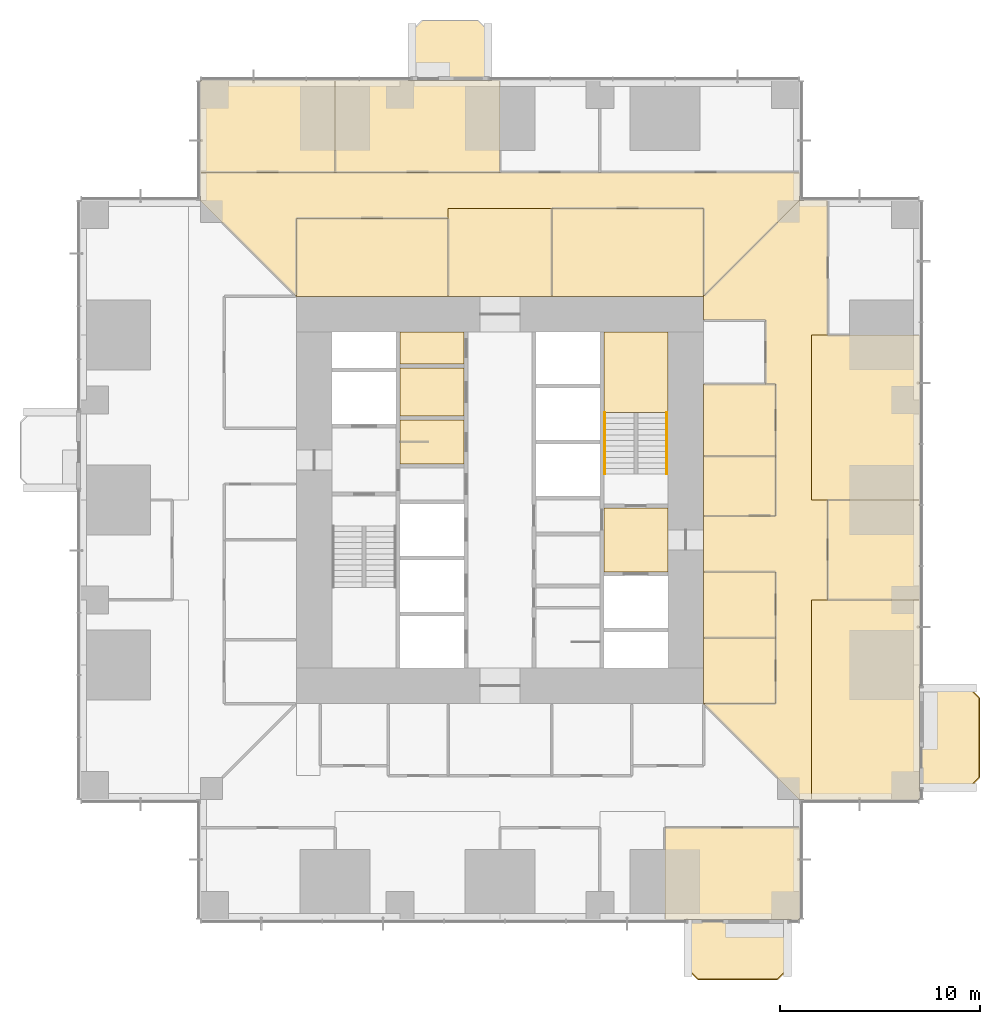
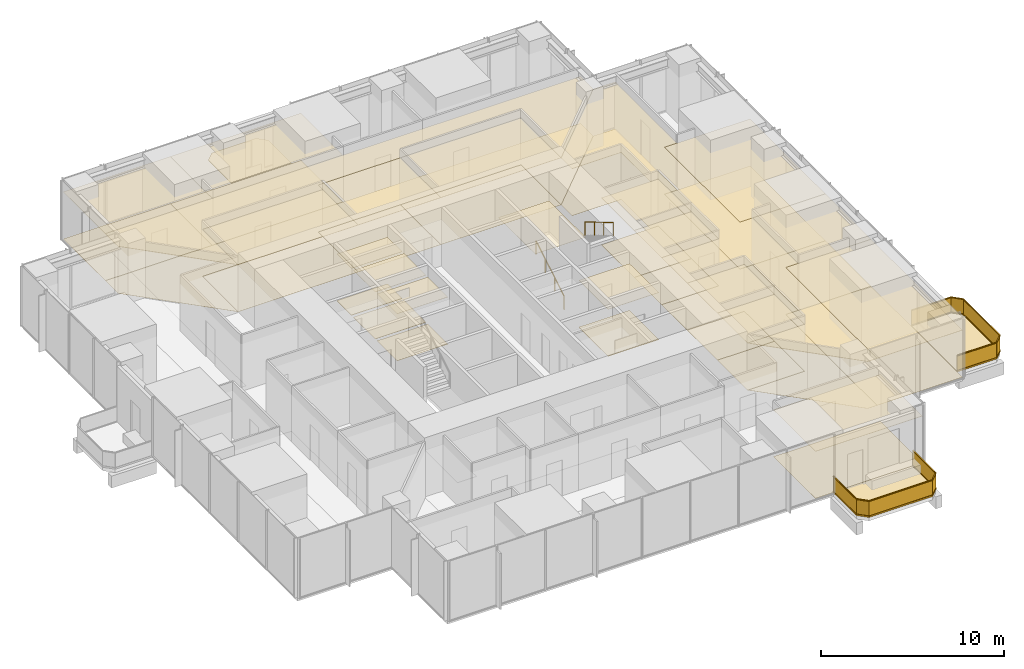
# One storey, part 14 of 16: 42 coverings, 4 railings.
"""IFC4 building model written with IfcOpenShell, lengths in metres."""

from ifc_helpers import new_model, si_unit, direction, frame, origin, origin_2d, place, context, subcontext, project, spatial, polyline, rectangle, circle, outline, extrude, material, layer, layer_set, type_object, element, save


model = new_model("IFC4")

# Units and contexts
model_context = context("Model", 3, precision=1e-05, world=origin(), true_north=direction((0.0, 1.0)))
body_context = subcontext(model_context, "Body", "Model", "MODEL_VIEW")
ifc_project = project(units=[si_unit("LENGTHUNIT", "METRE"), si_unit("AREAUNIT", "SQUARE_METRE"), si_unit("VOLUMEUNIT", "CUBIC_METRE"), si_unit("PLANEANGLEUNIT", "RADIAN"), si_unit("MASSUNIT", "GRAM", prefix="KILO")], contexts=[model_context])

# Site, building, storey
site_placement = place(None, origin())
site = spatial("IfcSite", under=ifc_project, at=site_placement, CompositionType="ELEMENT")
building_placement = place(site_placement, origin())
building = spatial("IfcBuilding", under=site, at=building_placement, Name="Svetlomir Tower", CompositionType="ELEMENT")
storey_placement = place(building_placement, frame((0.0, 0.0, 58.5)))
storey = spatial("IfcBuildingStorey", under=building, at=storey_placement, Name="L13", CompositionType="ELEMENT", Elevation=58.5)

# Railings
ifc_material_1 = material(Name="Bronze anodised aluminium and laminated glass", Category="aluminium")
railing_type_1 = type_object("IfcRailingType", Name="BALCONY GUARD GR1 1100", PredefinedType="GUARDRAIL", material=ifc_material_1)
railing_1_placement = place(storey_placement, frame((30.39990234375, 0.0, 0.0)))
element("IfcRailing", 1, at=railing_1_placement, inside=storey, type_object=railing_type_1, Name="Balcony guard S L13", PredefinedType="GUARDRAIL", context=body_context, shape_type="SweptSolid", body=[
    extrude(rectangle(XDim=0.06005859375, YDim=0.10009765625, at=origin_2d()), frame((0.0, 0.0, 0.050048828125), z_axis=(0.0, -1.0, 0.0), x_axis=(1.0, 0.0, 0.0)), (0.0, 0.0, 1.0), 2.5),
    extrude(rectangle(XDim=0.021484375, YDim=0.960205078125, at=origin_2d()), frame((0.0, 0.0, 0.580078125), z_axis=(0.0, -1.0, 0.0), x_axis=(1.0, 0.0, 0.0)), (0.0, 0.0, 1.0), 2.5),
    extrude(rectangle(XDim=0.06005859375, YDim=0.0400390625, at=origin_2d()), frame((0.0, 0.0, 1.080078125), z_axis=(0.0, -1.0, 0.0), x_axis=(1.0, 0.0, 0.0)), (0.0, 0.0, 1.0), 2.5),
    extrude(rectangle(XDim=0.06005859375, YDim=0.10009765625, at=origin_2d()), frame((0.0, -2.5, 0.050048828125), z_axis=(0.707106781187, -0.707106781187, 0.0), x_axis=(0.707106781187, 0.707106781187, 0.0)), (0.0, 0.0, 1.0), 0.70703125),
    extrude(rectangle(XDim=0.021484375, YDim=0.960205078125, at=origin_2d()), frame((0.0, -2.5, 0.580078125), z_axis=(0.707106781187, -0.707106781187, 0.0), x_axis=(0.707106781187, 0.707106781187, 0.0)), (0.0, 0.0, 1.0), 0.70703125),
    extrude(rectangle(XDim=0.06005859375, YDim=0.0400390625, at=origin_2d()), frame((0.0, -2.5, 1.080078125), z_axis=(0.707106781187, -0.707106781187, 0.0), x_axis=(0.707106781187, 0.707106781187, 0.0)), (0.0, 0.0, 1.0), 0.70703125),
    extrude(rectangle(XDim=0.06005859375, YDim=0.10009765625, at=origin_2d()), frame((0.5, -3.0, 0.050048828125), z_axis=(1.0, 0.0, 0.0), x_axis=(0.0, 1.0, 0.0)), (0.0, 0.0, 1.0), 4.0),
    extrude(rectangle(XDim=0.021484375, YDim=0.960205078125, at=origin_2d()), frame((0.5, -3.0, 0.580078125), z_axis=(1.0, 0.0, 0.0), x_axis=(0.0, 1.0, 0.0)), (0.0, 0.0, 1.0), 4.0),
    extrude(rectangle(XDim=0.06005859375, YDim=0.0400390625, at=origin_2d()), frame((0.5, -3.0, 1.080078125), z_axis=(1.0, 0.0, 0.0), x_axis=(0.0, 1.0, 0.0)), (0.0, 0.0, 1.0), 4.0),
    extrude(rectangle(XDim=0.06005859375, YDim=0.10009765625, at=origin_2d()), frame((4.5, -3.0, 0.050048828125), z_axis=(0.707106781187, 0.707106781187, 0.0), x_axis=(-0.707106781187, 0.707106781187, 0.0)), (0.0, 0.0, 1.0), 0.70703125),
    extrude(rectangle(XDim=0.021484375, YDim=0.960205078125, at=origin_2d()), frame((4.5, -3.0, 0.580078125), z_axis=(0.707106781187, 0.707106781187, 0.0), x_axis=(-0.707106781187, 0.707106781187, 0.0)), (0.0, 0.0, 1.0), 0.70703125),
    extrude(rectangle(XDim=0.06005859375, YDim=0.0400390625, at=origin_2d()), frame((4.5, -3.0, 1.080078125), z_axis=(0.707106781187, 0.707106781187, 0.0), x_axis=(-0.707106781187, 0.707106781187, 0.0)), (0.0, 0.0, 1.0), 0.70703125),
    extrude(rectangle(XDim=0.06005859375, YDim=0.10009765625, at=origin_2d()), frame((5.0, -2.5, 0.050048828125), z_axis=(0.0, 1.0, 0.0), x_axis=(-1.0, 0.0, 0.0)), (0.0, 0.0, 1.0), 2.5),
    extrude(rectangle(XDim=0.021484375, YDim=0.960205078125, at=origin_2d()), frame((5.0, -2.5, 0.580078125), z_axis=(0.0, 1.0, 0.0), x_axis=(-1.0, 0.0, 0.0)), (0.0, 0.0, 1.0), 2.5),
    extrude(rectangle(XDim=0.06005859375, YDim=0.0400390625, at=origin_2d()), frame((5.0, -2.5, 1.080078125), z_axis=(0.0, 1.0, 0.0), x_axis=(-1.0, 0.0, 0.0)), (0.0, 0.0, 1.0), 2.5),
])
railing_2_placement = place(storey_placement, frame((42.0, 6.60009765625, 0.0)))
element("IfcRailing", 2, at=railing_2_placement, inside=storey, type_object=railing_type_1, Name="Balcony guard E L13", PredefinedType="GUARDRAIL", context=body_context, shape_type="SweptSolid", body=[
    extrude(rectangle(XDim=0.06005859375, YDim=0.10009765625, at=origin_2d()), frame((0.0, 0.0, 0.050048828125), z_axis=(1.0, 0.0, 0.0), x_axis=(0.0, 1.0, 0.0)), (0.0, 0.0, 1.0), 2.5),
    extrude(rectangle(XDim=0.021484375, YDim=0.960205078125, at=origin_2d()), frame((0.0, 0.0, 0.580078125), z_axis=(1.0, 0.0, 0.0), x_axis=(0.0, 1.0, 0.0)), (0.0, 0.0, 1.0), 2.5),
    extrude(rectangle(XDim=0.06005859375, YDim=0.0400390625, at=origin_2d()), frame((0.0, 0.0, 1.080078125), z_axis=(1.0, 0.0, 0.0), x_axis=(0.0, 1.0, 0.0)), (0.0, 0.0, 1.0), 2.5),
    extrude(rectangle(XDim=0.06005859375, YDim=0.10009765625, at=origin_2d()), frame((2.5, 0.0, 0.050048828125), z_axis=(0.707106781187, 0.707106781187, 0.0), x_axis=(-0.707106781187, 0.707106781187, 0.0)), (0.0, 0.0, 1.0), 0.70703125),
    extrude(rectangle(XDim=0.021484375, YDim=0.960205078125, at=origin_2d()), frame((2.5, 0.0, 0.580078125), z_axis=(0.707106781187, 0.707106781187, 0.0), x_axis=(-0.707106781187, 0.707106781187, 0.0)), (0.0, 0.0, 1.0), 0.70703125),
    extrude(rectangle(XDim=0.06005859375, YDim=0.0400390625, at=origin_2d()), frame((2.5, 0.0, 1.080078125), z_axis=(0.707106781187, 0.707106781187, 0.0), x_axis=(-0.707106781187, 0.707106781187, 0.0)), (0.0, 0.0, 1.0), 0.70703125),
    extrude(rectangle(XDim=0.06005859375, YDim=0.10009765625, at=origin_2d()), frame((3.0, 0.5, 0.050048828125), z_axis=(0.0, 1.0, 0.0), x_axis=(-1.0, 0.0, 0.0)), (0.0, 0.0, 1.0), 4.0),
    extrude(rectangle(XDim=0.021484375, YDim=0.960205078125, at=origin_2d()), frame((3.0, 0.5, 0.580078125), z_axis=(0.0, 1.0, 0.0), x_axis=(-1.0, 0.0, 0.0)), (0.0, 0.0, 1.0), 4.0),
    extrude(rectangle(XDim=0.06005859375, YDim=0.0400390625, at=origin_2d()), frame((3.0, 0.5, 1.080078125), z_axis=(0.0, 1.0, 0.0), x_axis=(-1.0, 0.0, 0.0)), (0.0, 0.0, 1.0), 4.0),
    extrude(rectangle(XDim=0.06005859375, YDim=0.10009765625, at=origin_2d()), frame((3.0, 4.5, 0.050048828125), z_axis=(-0.707106781187, 0.707106781187, 0.0), x_axis=(-0.707106781187, -0.707106781187, 0.0)), (0.0, 0.0, 1.0), 0.70703125),
    extrude(rectangle(XDim=0.021484375, YDim=0.960205078125, at=origin_2d()), frame((3.0, 4.5, 0.580078125), z_axis=(-0.707106781187, 0.707106781187, 0.0), x_axis=(-0.707106781187, -0.707106781187, 0.0)), (0.0, 0.0, 1.0), 0.70703125),
    extrude(rectangle(XDim=0.06005859375, YDim=0.0400390625, at=origin_2d()), frame((3.0, 4.5, 1.080078125), z_axis=(-0.707106781187, 0.707106781187, 0.0), x_axis=(-0.707106781187, -0.707106781187, 0.0)), (0.0, 0.0, 1.0), 0.70703125),
    extrude(rectangle(XDim=0.06005859375, YDim=0.10009765625, at=origin_2d()), frame((2.5, 5.0, 0.050048828125), z_axis=(-1.0, 0.0, 0.0), x_axis=(0.0, -1.0, 0.0)), (0.0, 0.0, 1.0), 2.5),
    extrude(rectangle(XDim=0.021484375, YDim=0.960205078125, at=origin_2d()), frame((2.5, 5.0, 0.580078125), z_axis=(-1.0, 0.0, 0.0), x_axis=(0.0, -1.0, 0.0)), (0.0, 0.0, 1.0), 2.5),
    extrude(rectangle(XDim=0.06005859375, YDim=0.0400390625, at=origin_2d()), frame((2.5, 5.0, 1.080078125), z_axis=(-1.0, 0.0, 0.0), x_axis=(0.0, -1.0, 0.0)), (0.0, 0.0, 1.0), 2.5),
])

# Coverings
ifc_material_2 = material(Name="Granite paving slabs on pedestals", Category="masonry")
ifc_layer_1 = layer(ifc_material_2, 0.0400390625)
ifc_layer_set_1 = layer_set([ifc_layer_1], Name="Granite paving slabs on pedestals")
covering_type_1 = type_object("IfcCoveringType", Name="BALCONY PAVING 40", PredefinedType="USERDEFINED", material=ifc_layer_set_1)
covering_1_placement = place(storey_placement, origin())
element("IfcCovering", 3, at=covering_1_placement, inside=storey, type_object=covering_type_1, Name="Balcony paving S L13", ObjectType="BALCONY PAVING", PredefinedType="USERDEFINED", context=body_context, shape_type="SweptSolid", body=[
    extrude(outline(polyline([(30.39990234375, -2.5), (30.89990234375, -3.0), (34.89990234375, -3.0), (35.39990234375, -2.5), (35.39990234375, 0.0), (30.39990234375, 0.0), (30.39990234375, -2.5)])), origin(), (0.0, 0.0, 1.0), 0.0400390625),
])
covering_2_placement = place(storey_placement, origin())
element("IfcCovering", 4, at=covering_2_placement, inside=storey, type_object=covering_type_1, Name="Balcony paving E L13", ObjectType="BALCONY PAVING", PredefinedType="USERDEFINED", context=body_context, shape_type="SweptSolid", body=[
    extrude(outline(polyline([(42.0, 6.60009765625), (44.5, 6.60009765625), (45.0, 7.10009765625), (45.0, 11.10009765625), (44.5, 11.60009765625), (42.0, 11.60009765625), (42.0, 6.60009765625)])), origin(), (0.0, 0.0, 1.0), 0.0400390625),
])
covering_3_placement = place(storey_placement, origin())
element("IfcCovering", 5, at=covering_3_placement, inside=storey, type_object=covering_type_1, Name="Balcony paving N L13", ObjectType="BALCONY PAVING", PredefinedType="USERDEFINED", context=body_context, shape_type="SweptSolid", body=[
    extrude(outline(polyline([(16.60009765625, 42.0), (20.39990234375, 42.0), (20.39990234375, 44.5), (19.89990234375, 45.0), (17.10009765625, 45.0), (16.60009765625, 44.5), (16.60009765625, 42.0)])), origin(), (0.0, 0.0, 1.0), 0.0400390625),
])
ifc_material_3 = material(Name="Carpet tile", Category="textile")
ifc_layer_2 = layer(ifc_material_3, 0.010009765625)
ifc_layer_set_2 = layer_set([ifc_layer_2], Name="Carpet tile")
covering_type_2 = type_object("IfcCoveringType", Name="CARPET TILE FLOOR 10", PredefinedType="FLOORING", material=ifc_layer_set_2)
covering_4_placement = place(storey_placement, origin())
element("IfcCovering", 6, at=covering_4_placement, inside=storey, type_object=covering_type_2, Name="Floor finish L13-20", PredefinedType="FLOORING", context=body_context, shape_type="SweptSolid", body=[
    extrude(outline(polyline([(29.25, 0.0), (36.0, 0.0), (36.0, 4.60009765625), (29.25, 4.60009765625), (29.25, 0.0)])), origin(), (0.0, 0.0, 1.0), 0.010009765625),
])
covering_5_placement = place(storey_placement, origin())
element("IfcCovering", 7, at=covering_5_placement, inside=storey, type_object=covering_type_2, Name="Floor finish L13-21", PredefinedType="FLOORING", context=body_context, shape_type="SweptSolid", body=[
    extrude(outline(polyline([(31.199951171875, 10.800048828125), (34.800048828125, 10.800048828125), (34.800048828125, 14.10009765625), (31.199951171875, 14.10009765625), (31.199951171875, 10.800048828125)])), origin(), (0.0, 0.0, 1.0), 0.010009765625),
])
covering_6_placement = place(storey_placement, origin())
element("IfcCovering", 8, at=covering_6_placement, inside=storey, type_object=covering_type_2, Name="Floor finish L13-22", PredefinedType="FLOORING", context=body_context, shape_type="SweptSolid", body=[
    extrude(outline(polyline([(31.199951171875, 14.10009765625), (34.800048828125, 14.10009765625), (34.800048828125, 17.39990234375), (31.199951171875, 17.39990234375), (31.199951171875, 14.10009765625)])), origin(), (0.0, 0.0, 1.0), 0.010009765625),
])
covering_7_placement = place(storey_placement, origin())
element("IfcCovering", 9, at=covering_7_placement, inside=storey, type_object=covering_type_2, Name="Floor finish L13-23", PredefinedType="FLOORING", context=body_context, shape_type="SweptSolid", body=[
    extrude(outline(polyline([(31.199951171875, 23.199951171875), (34.800048828125, 23.199951171875), (34.800048828125, 26.800048828125), (31.199951171875, 26.800048828125), (31.199951171875, 23.199951171875)])), origin(), (0.0, 0.0, 1.0), 0.010009765625),
])
covering_8_placement = place(storey_placement, origin())
element("IfcCovering", 10, at=covering_8_placement, inside=storey, type_object=covering_type_2, Name="Floor finish L13-25", PredefinedType="FLOORING", context=body_context, shape_type="SweptSolid", body=[
    extrude(outline(polyline([(37.39990234375, 16.0), (42.0, 16.0), (42.0, 21.0), (37.39990234375, 21.0), (37.39990234375, 16.0)])), origin(), (0.0, 0.0, 1.0), 0.010009765625),
])
covering_9_placement = place(storey_placement, origin())
element("IfcCovering", 11, at=covering_9_placement, inside=storey, type_object=covering_type_2, Name="Floor finish L13-27", PredefinedType="FLOORING", context=body_context, shape_type="SweptSolid", body=[
    extrude(outline(polyline([(10.800048828125, 31.199951171875), (18.39990234375, 31.199951171875), (18.39990234375, 35.10009765625), (10.800048828125, 35.10009765625), (10.800048828125, 31.199951171875)])), origin(), (0.0, 0.0, 1.0), 0.010009765625),
])
covering_10_placement = place(storey_placement, origin())
element("IfcCovering", 12, at=covering_10_placement, inside=storey, type_object=covering_type_2, Name="Floor finish L13-28", PredefinedType="FLOORING", context=body_context, shape_type="SweptSolid", body=[
    extrude(outline(polyline([(23.60009765625, 31.199951171875), (31.199951171875, 31.199951171875), (31.199951171875, 35.60009765625), (23.60009765625, 35.60009765625), (23.60009765625, 31.199951171875)])), origin(), (0.0, 0.0, 1.0), 0.010009765625),
])
covering_11_placement = place(storey_placement, origin())
element("IfcCovering", 13, at=covering_11_placement, inside=storey, type_object=covering_type_2, Name="Floor finish L13-29", PredefinedType="FLOORING", context=body_context, shape_type="SweptSolid", body=[
    extrude(outline(polyline([(6.0, 37.39990234375), (12.75, 37.39990234375), (12.75, 42.0), (6.0, 42.0), (6.0, 37.39990234375)])), origin(), (0.0, 0.0, 1.0), 0.010009765625),
])
covering_12_placement = place(storey_placement, origin())
element("IfcCovering", 14, at=covering_12_placement, inside=storey, type_object=covering_type_2, Name="Floor finish L13-36", PredefinedType="FLOORING", context=body_context, shape_type="SweptSolid", body=[
    extrude(outline(polyline([(31.199951171875, 17.39990234375), (31.199951171875, 20.199951171875), (34.800048828125, 20.199951171875), (34.800048828125, 26.800048828125), (34.300048828125, 26.800048828125), (34.300048828125, 30.0), (31.199951171875, 30.0), (31.199951171875, 31.199951171875), (36.0, 36.0), (37.39990234375, 36.0), (37.39990234375, 29.25), (36.60009765625, 29.25), (36.60009765625, 21.0), (37.39990234375, 21.0), (37.39990234375, 16.0), (36.60009765625, 16.0), (36.60009765625, 6.0), (36.0, 6.0), (31.199951171875, 10.800048828125), (34.800048828125, 10.800048828125), (34.800048828125, 17.39990234375), (31.199951171875, 17.39990234375)])), origin(), (0.0, 0.0, 1.0), 0.010009765625),
])
covering_13_placement = place(storey_placement, origin())
element("IfcCovering", 15, at=covering_13_placement, inside=storey, type_object=covering_type_2, Name="Floor finish L13-37", PredefinedType="FLOORING", context=body_context, shape_type="SweptSolid", body=[
    extrude(outline(polyline([(6.0, 37.39990234375), (36.0, 37.39990234375), (36.0, 36.0), (31.199951171875, 31.199951171875), (31.199951171875, 35.60009765625), (18.39990234375, 35.60009765625), (18.39990234375, 35.10009765625), (10.800048828125, 35.10009765625), (10.800048828125, 31.199951171875), (6.0, 36.0), (6.0, 37.39990234375)])), origin(), (0.0, 0.0, 1.0), 0.010009765625),
])
covering_14_placement = place(storey_placement, origin())
element("IfcCovering", 16, at=covering_14_placement, inside=storey, type_object=covering_type_2, Name="Floor finish L13-43", PredefinedType="FLOORING", context=body_context, shape_type="SweptSolid", body=[
    extrude(outline(polyline([(42.0, 21.0), (36.60009765625, 21.0), (36.60009765625, 29.25), (42.0, 29.25), (42.0, 21.0)])), origin(), (0.0, 0.0, 1.0), 0.010009765625),
])
covering_15_placement = place(storey_placement, origin())
element("IfcCovering", 17, at=covering_15_placement, inside=storey, type_object=covering_type_2, Name="Floor finish L13-44", PredefinedType="FLOORING", context=body_context, shape_type="SweptSolid", body=[
    extrude(outline(polyline([(42.0, 6.0), (36.60009765625, 6.0), (36.60009765625, 16.0), (42.0, 16.0), (42.0, 6.0)])), origin(), (0.0, 0.0, 1.0), 0.010009765625),
])
covering_16_placement = place(storey_placement, origin())
element("IfcCovering", 18, at=covering_16_placement, inside=storey, type_object=covering_type_2, Name="Floor finish L13-45", PredefinedType="FLOORING", context=body_context, shape_type="SweptSolid", body=[
    extrude(outline(polyline([(31.199951171875, 23.199951171875), (34.800048828125, 23.199951171875), (34.800048828125, 20.199951171875), (31.199951171875, 20.199951171875), (31.199951171875, 23.199951171875)])), origin(), (0.0, 0.0, 1.0), 0.010009765625),
])
covering_17_placement = place(storey_placement, origin())
element("IfcCovering", 19, at=covering_17_placement, inside=storey, type_object=covering_type_2, Name="Floor finish L13-46", PredefinedType="FLOORING", context=body_context, shape_type="SweptSolid", body=[
    extrude(outline(polyline([(21.0, 42.0), (21.0, 37.39990234375), (12.75, 37.39990234375), (12.75, 42.0), (21.0, 42.0)])), origin(), (0.0, 0.0, 1.0), 0.010009765625),
])
covering_18_placement = place(storey_placement, origin())
element("IfcCovering", 20, at=covering_18_placement, inside=storey, type_object=covering_type_2, Name="Floor finish L13-48", PredefinedType="FLOORING", context=body_context, shape_type="SweptSolid", body=[
    extrude(outline(polyline([(18.39990234375, 31.199951171875), (18.39990234375, 35.60009765625), (23.60009765625, 35.60009765625), (23.60009765625, 31.199951171875), (18.39990234375, 31.199951171875)])), origin(), (0.0, 0.0, 1.0), 0.010009765625),
])
ifc_material_4 = material(Name="Ceramic floor tile", Category="ceramic")
ifc_layer_3 = layer(ifc_material_4, 0.014892578125)
ifc_layer_set_3 = layer_set([ifc_layer_3], Name="Ceramic floor tile")
covering_type_3 = type_object("IfcCoveringType", Name="CERAMIC TILE FLOOR 15", PredefinedType="FLOORING", material=ifc_layer_set_3)
covering_19_placement = place(storey_placement, origin())
element("IfcCovering", 21, at=covering_19_placement, inside=storey, type_object=covering_type_3, Name="Floor finish L13-04", PredefinedType="FLOORING", context=body_context, shape_type="SweptSolid", body=[
    extrude(outline(polyline([(16.0, 22.800048828125), (19.199951171875, 22.800048828125), (19.199951171875, 25.0), (16.0, 25.0), (16.0, 22.800048828125)])), origin(), (0.0, 0.0, 1.0), 0.014892578125),
])
covering_20_placement = place(storey_placement, origin())
element("IfcCovering", 22, at=covering_20_placement, inside=storey, type_object=covering_type_3, Name="Floor finish L13-05", PredefinedType="FLOORING", context=body_context, shape_type="SweptSolid", body=[
    extrude(outline(polyline([(16.0, 25.199951171875), (19.199951171875, 25.199951171875), (19.199951171875, 27.60009765625), (16.0, 27.60009765625), (16.0, 25.199951171875)])), origin(), (0.0, 0.0, 1.0), 0.014892578125),
])

# Railings
ifc_material_5 = material(Name="Stainless steel", Category="steel")
railing_type_2 = type_object("IfcRailingType", Name="HANDRAIL HR1 900", PredefinedType="HANDRAIL", material=ifc_material_5)
railing_3_placement = place(storey_placement, frame((26.25, 22.300048828125, 0.166748046875)))
element("IfcRailing", 23, at=railing_3_placement, inside=storey, type_object=railing_type_2, Name="Handrail S2 flight 1 L13", PredefinedType="HANDRAIL", context=body_context, shape_type="SweptSolid", body=[
    extrude(circle(Radius=0.02392578125, at=origin_2d()), frame((0.0, 0.0, 0.8759765625), z_axis=(0.0, 0.859290745958, 0.51148745235), x_axis=(-1.0, 0.0, 0.0)), (0.0, 0.0, 1.0), 3.584228515625),
    extrude(circle(Radius=0.02099609375, at=origin_2d()), origin(), (0.0, 0.0, 1.0), 0.851806640625),
    extrude(circle(Radius=0.02099609375, at=origin_2d()), frame((0.0, 1.026611328125, 0.611083984375)), (0.0, 0.0, 1.0), 0.851806640625),
    extrude(circle(Radius=0.02099609375, at=origin_2d()), frame((0.0, 2.05322265625, 1.22216796875)), (0.0, 0.0, 1.0), 0.851806640625),
    extrude(circle(Radius=0.02099609375, at=origin_2d()), frame((0.0, 3.079833984375, 1.833251953125)), (0.0, 0.0, 1.0), 0.851806640625),
])
railing_4_placement = place(storey_placement, frame((29.35009765625, 25.3798828125, 2.166748046875)))
element("IfcRailing", 24, at=railing_4_placement, inside=storey, type_object=railing_type_2, Name="Handrail S2 flight 2 L13", PredefinedType="HANDRAIL", context=body_context, shape_type="SweptSolid", body=[
    extrude(circle(Radius=0.02392578125, at=origin_2d()), frame((0.0, 0.0, 0.8759765625), z_axis=(0.0, -0.859290745958, 0.51148745235), x_axis=(1.0, 0.0, 0.0)), (0.0, 0.0, 1.0), 3.584228515625),
    extrude(circle(Radius=0.02099609375, at=origin_2d()), origin(), (0.0, 0.0, 1.0), 0.851806640625),
    extrude(circle(Radius=0.02099609375, at=origin_2d()), frame((0.0, -1.026611328125, 0.611083984375)), (0.0, 0.0, 1.0), 0.851806640625),
    extrude(circle(Radius=0.02099609375, at=origin_2d()), frame((0.0, -2.05322265625, 1.22216796875)), (0.0, 0.0, 1.0), 0.851806640625),
    extrude(circle(Radius=0.02099609375, at=origin_2d()), frame((0.0, -3.079833984375, 1.833251953125)), (0.0, 0.0, 1.0), 0.851806640625),
])

# Coverings
ifc_material_6 = material(Name="Moisture resistant plasterboard ceiling", Category="gypsum")
ifc_layer_4 = layer(ifc_material_6, 0.012451171875)
ifc_layer_set_4 = layer_set([ifc_layer_4], Name="Moisture resistant plasterboard ceiling")
covering_type_4 = type_object("IfcCoveringType", Name="MOISTURE RESISTANT CEILING 12.5", PredefinedType="CEILING", material=ifc_layer_set_4)
covering_21_placement = place(storey_placement, frame((0.0, 0.0, 3.137451171875)))
element("IfcCovering", 25, at=covering_21_placement, inside=storey, type_object=covering_type_4, Name="Ceiling L13-04", PredefinedType="CEILING", context=body_context, shape_type="SweptSolid", body=[
    extrude(outline(polyline([(16.0, 22.800048828125), (19.199951171875, 22.800048828125), (19.199951171875, 25.0), (16.0, 25.0), (16.0, 22.800048828125)])), origin(), (0.0, 0.0, 1.0), 0.012451171875),
])
covering_22_placement = place(storey_placement, frame((0.0, 0.0, 3.137451171875)))
element("IfcCovering", 26, at=covering_22_placement, inside=storey, type_object=covering_type_4, Name="Ceiling L13-05", PredefinedType="CEILING", context=body_context, shape_type="SweptSolid", body=[
    extrude(outline(polyline([(16.0, 25.199951171875), (19.199951171875, 25.199951171875), (19.199951171875, 27.60009765625), (16.0, 27.60009765625), (16.0, 25.199951171875)])), origin(), (0.0, 0.0, 1.0), 0.012451171875),
])
ifc_material_7 = material(Name="Gypsum plasterboard ceiling", Category="gypsum")
ifc_layer_5 = layer(ifc_material_7, 0.014892578125)
ifc_layer_set_5 = layer_set([ifc_layer_5], Name="Gypsum plasterboard ceiling")
covering_type_5 = type_object("IfcCoveringType", Name="PLASTERBOARD CEILING 15", PredefinedType="CEILING", material=ifc_layer_set_5)
covering_23_placement = place(storey_placement, frame((0.0, 0.0, 3.135009765625)))
element("IfcCovering", 27, at=covering_23_placement, inside=storey, type_object=covering_type_5, Name="Ceiling L13-06", PredefinedType="CEILING", context=body_context, shape_type="SweptSolid", body=[
    extrude(outline(polyline([(16.0, 27.800048828125), (19.199951171875, 27.800048828125), (19.199951171875, 29.39990234375), (16.0, 29.39990234375), (16.0, 27.800048828125)])), origin(), (0.0, 0.0, 1.0), 0.014892578125),
])
covering_24_placement = place(storey_placement, frame((0.0, 0.0, 3.135009765625)))
element("IfcCovering", 28, at=covering_24_placement, inside=storey, type_object=covering_type_5, Name="Ceiling L13-12", PredefinedType="CEILING", context=body_context, shape_type="SweptSolid", body=[
    extrude(outline(polyline([(26.199951171875, 17.39990234375), (29.39990234375, 17.39990234375), (29.39990234375, 20.60009765625), (26.199951171875, 20.60009765625), (26.199951171875, 17.39990234375)])), origin(), (0.0, 0.0, 1.0), 0.014892578125),
])
ifc_material_8 = material(Name="Studded rubber floor finish", Category="rubber")
ifc_layer_6 = layer(ifc_material_8, 0.006103515625)
ifc_layer_set_6 = layer_set([ifc_layer_6], Name="Studded rubber floor finish")
covering_type_6 = type_object("IfcCoveringType", Name="RUBBER LANDING FINISH 6", PredefinedType="FLOORING", material=ifc_layer_set_6)
covering_25_placement = place(storey_placement, frame((0.0, 0.0, 2.0)))
element("IfcCovering", 29, at=covering_25_placement, inside=storey, type_object=covering_type_6, Name="Stair S2 landing finish L13", PredefinedType="FLOORING", context=body_context, shape_type="SweptSolid", body=[
    extrude(outline(polyline([(26.199951171875, 25.3798828125), (29.39990234375, 25.3798828125), (29.39990234375, 29.39990234375), (26.199951171875, 29.39990234375), (26.199951171875, 25.3798828125)])), origin(), (0.0, 0.0, 1.0), 0.006103515625),
])
ifc_material_9 = material(Name="Mineral fibre ceiling tile", Category="mineral")
ifc_layer_7 = layer(ifc_material_9, 0.02001953125)
ifc_layer_set_7 = layer_set([ifc_layer_7], Name="Mineral fibre ceiling tile")
covering_type_7 = type_object("IfcCoveringType", Name="SUSPENDED CEILING 20", PredefinedType="CEILING", material=ifc_layer_set_7)
covering_26_placement = place(storey_placement, frame((0.0, 0.0, 3.1298828125)))
element("IfcCovering", 30, at=covering_26_placement, inside=storey, type_object=covering_type_7, Name="Ceiling L13-20", PredefinedType="CEILING", context=body_context, shape_type="SweptSolid", body=[
    extrude(outline(polyline([(29.25, 0.0), (36.0, 0.0), (36.0, 4.60009765625), (29.25, 4.60009765625), (29.25, 0.0)])), origin(), (0.0, 0.0, 1.0), 0.02001953125),
])
covering_27_placement = place(storey_placement, frame((0.0, 0.0, 3.1298828125)))
element("IfcCovering", 31, at=covering_27_placement, inside=storey, type_object=covering_type_7, Name="Ceiling L13-21", PredefinedType="CEILING", context=body_context, shape_type="SweptSolid", body=[
    extrude(outline(polyline([(31.199951171875, 10.800048828125), (34.800048828125, 10.800048828125), (34.800048828125, 14.10009765625), (31.199951171875, 14.10009765625), (31.199951171875, 10.800048828125)])), origin(), (0.0, 0.0, 1.0), 0.02001953125),
])
covering_28_placement = place(storey_placement, frame((0.0, 0.0, 3.1298828125)))
element("IfcCovering", 32, at=covering_28_placement, inside=storey, type_object=covering_type_7, Name="Ceiling L13-22", PredefinedType="CEILING", context=body_context, shape_type="SweptSolid", body=[
    extrude(outline(polyline([(31.199951171875, 14.10009765625), (34.800048828125, 14.10009765625), (34.800048828125, 17.39990234375), (31.199951171875, 17.39990234375), (31.199951171875, 14.10009765625)])), origin(), (0.0, 0.0, 1.0), 0.02001953125),
])
covering_29_placement = place(storey_placement, frame((0.0, 0.0, 3.1298828125)))
element("IfcCovering", 33, at=covering_29_placement, inside=storey, type_object=covering_type_7, Name="Ceiling L13-23", PredefinedType="CEILING", context=body_context, shape_type="SweptSolid", body=[
    extrude(outline(polyline([(31.199951171875, 23.199951171875), (34.800048828125, 23.199951171875), (34.800048828125, 26.800048828125), (31.199951171875, 26.800048828125), (31.199951171875, 23.199951171875)])), origin(), (0.0, 0.0, 1.0), 0.02001953125),
])
covering_30_placement = place(storey_placement, frame((0.0, 0.0, 3.1298828125)))
element("IfcCovering", 34, at=covering_30_placement, inside=storey, type_object=covering_type_7, Name="Ceiling L13-25", PredefinedType="CEILING", context=body_context, shape_type="SweptSolid", body=[
    extrude(outline(polyline([(37.39990234375, 16.0), (42.0, 16.0), (42.0, 21.0), (37.39990234375, 21.0), (37.39990234375, 16.0)])), origin(), (0.0, 0.0, 1.0), 0.02001953125),
])
covering_31_placement = place(storey_placement, frame((0.0, 0.0, 3.1298828125)))
element("IfcCovering", 35, at=covering_31_placement, inside=storey, type_object=covering_type_7, Name="Ceiling L13-27", PredefinedType="CEILING", context=body_context, shape_type="SweptSolid", body=[
    extrude(outline(polyline([(10.800048828125, 31.199951171875), (18.39990234375, 31.199951171875), (18.39990234375, 35.10009765625), (10.800048828125, 35.10009765625), (10.800048828125, 31.199951171875)])), origin(), (0.0, 0.0, 1.0), 0.02001953125),
])
covering_32_placement = place(storey_placement, frame((0.0, 0.0, 3.1298828125)))
element("IfcCovering", 36, at=covering_32_placement, inside=storey, type_object=covering_type_7, Name="Ceiling L13-28", PredefinedType="CEILING", context=body_context, shape_type="SweptSolid", body=[
    extrude(outline(polyline([(23.60009765625, 31.199951171875), (31.199951171875, 31.199951171875), (31.199951171875, 35.60009765625), (23.60009765625, 35.60009765625), (23.60009765625, 31.199951171875)])), origin(), (0.0, 0.0, 1.0), 0.02001953125),
])
covering_33_placement = place(storey_placement, frame((0.0, 0.0, 3.1298828125)))
element("IfcCovering", 37, at=covering_33_placement, inside=storey, type_object=covering_type_7, Name="Ceiling L13-29", PredefinedType="CEILING", context=body_context, shape_type="SweptSolid", body=[
    extrude(outline(polyline([(6.0, 37.39990234375), (12.75, 37.39990234375), (12.75, 42.0), (6.0, 42.0), (6.0, 37.39990234375)])), origin(), (0.0, 0.0, 1.0), 0.02001953125),
])
covering_34_placement = place(storey_placement, frame((0.0, 0.0, 3.1298828125)))
element("IfcCovering", 38, at=covering_34_placement, inside=storey, type_object=covering_type_7, Name="Ceiling L13-36", PredefinedType="CEILING", context=body_context, shape_type="SweptSolid", body=[
    extrude(outline(polyline([(31.199951171875, 17.39990234375), (31.199951171875, 20.199951171875), (34.800048828125, 20.199951171875), (34.800048828125, 26.800048828125), (34.300048828125, 26.800048828125), (34.300048828125, 30.0), (31.199951171875, 30.0), (31.199951171875, 31.199951171875), (36.0, 36.0), (37.39990234375, 36.0), (37.39990234375, 29.25), (36.60009765625, 29.25), (36.60009765625, 21.0), (37.39990234375, 21.0), (37.39990234375, 16.0), (36.60009765625, 16.0), (36.60009765625, 6.0), (36.0, 6.0), (31.199951171875, 10.800048828125), (34.800048828125, 10.800048828125), (34.800048828125, 17.39990234375), (31.199951171875, 17.39990234375)])), origin(), (0.0, 0.0, 1.0), 0.02001953125),
])
covering_35_placement = place(storey_placement, frame((0.0, 0.0, 3.1298828125)))
element("IfcCovering", 39, at=covering_35_placement, inside=storey, type_object=covering_type_7, Name="Ceiling L13-37", PredefinedType="CEILING", context=body_context, shape_type="SweptSolid", body=[
    extrude(outline(polyline([(6.0, 37.39990234375), (36.0, 37.39990234375), (36.0, 36.0), (31.199951171875, 31.199951171875), (31.199951171875, 35.60009765625), (18.39990234375, 35.60009765625), (18.39990234375, 35.10009765625), (10.800048828125, 35.10009765625), (10.800048828125, 31.199951171875), (6.0, 36.0), (6.0, 37.39990234375)])), origin(), (0.0, 0.0, 1.0), 0.02001953125),
])
covering_36_placement = place(storey_placement, frame((0.0, 0.0, 3.1298828125)))
element("IfcCovering", 40, at=covering_36_placement, inside=storey, type_object=covering_type_7, Name="Ceiling L13-43", PredefinedType="CEILING", context=body_context, shape_type="SweptSolid", body=[
    extrude(outline(polyline([(42.0, 21.0), (36.60009765625, 21.0), (36.60009765625, 29.25), (42.0, 29.25), (42.0, 21.0)])), origin(), (0.0, 0.0, 1.0), 0.02001953125),
])
covering_37_placement = place(storey_placement, frame((0.0, 0.0, 3.1298828125)))
element("IfcCovering", 41, at=covering_37_placement, inside=storey, type_object=covering_type_7, Name="Ceiling L13-44", PredefinedType="CEILING", context=body_context, shape_type="SweptSolid", body=[
    extrude(outline(polyline([(42.0, 6.0), (36.60009765625, 6.0), (36.60009765625, 16.0), (42.0, 16.0), (42.0, 6.0)])), origin(), (0.0, 0.0, 1.0), 0.02001953125),
])
covering_38_placement = place(storey_placement, frame((0.0, 0.0, 3.1298828125)))
element("IfcCovering", 42, at=covering_38_placement, inside=storey, type_object=covering_type_7, Name="Ceiling L13-45", PredefinedType="CEILING", context=body_context, shape_type="SweptSolid", body=[
    extrude(outline(polyline([(31.199951171875, 23.199951171875), (34.800048828125, 23.199951171875), (34.800048828125, 20.199951171875), (31.199951171875, 20.199951171875), (31.199951171875, 23.199951171875)])), origin(), (0.0, 0.0, 1.0), 0.02001953125),
])
covering_39_placement = place(storey_placement, frame((0.0, 0.0, 3.1298828125)))
element("IfcCovering", 43, at=covering_39_placement, inside=storey, type_object=covering_type_7, Name="Ceiling L13-46", PredefinedType="CEILING", context=body_context, shape_type="SweptSolid", body=[
    extrude(outline(polyline([(21.0, 42.0), (21.0, 37.39990234375), (12.75, 37.39990234375), (12.75, 42.0), (21.0, 42.0)])), origin(), (0.0, 0.0, 1.0), 0.02001953125),
])
covering_40_placement = place(storey_placement, frame((0.0, 0.0, 3.1298828125)))
element("IfcCovering", 44, at=covering_40_placement, inside=storey, type_object=covering_type_7, Name="Ceiling L13-48", PredefinedType="CEILING", context=body_context, shape_type="SweptSolid", body=[
    extrude(outline(polyline([(18.39990234375, 31.199951171875), (18.39990234375, 35.60009765625), (23.60009765625, 35.60009765625), (23.60009765625, 31.199951171875), (18.39990234375, 31.199951171875)])), origin(), (0.0, 0.0, 1.0), 0.02001953125),
])
ifc_material_10 = material(Name="Bronze-aggregate terrazzo", Category="stone")
ifc_layer_8 = layer(ifc_material_10, 0.030029296875)
ifc_layer_set_8 = layer_set([ifc_layer_8], Name="Bronze-aggregate terrazzo")
covering_type_8 = type_object("IfcCoveringType", Name="TERRAZZO FLOOR 30", PredefinedType="FLOORING", material=ifc_layer_set_8)
covering_41_placement = place(storey_placement, origin())
element("IfcCovering", 45, at=covering_41_placement, inside=storey, type_object=covering_type_8, Name="Floor finish L13-06", PredefinedType="FLOORING", context=body_context, shape_type="SweptSolid", body=[
    extrude(outline(polyline([(16.0, 27.800048828125), (19.199951171875, 27.800048828125), (19.199951171875, 29.39990234375), (16.0, 29.39990234375), (16.0, 27.800048828125)])), origin(), (0.0, 0.0, 1.0), 0.030029296875),
])
covering_42_placement = place(storey_placement, origin())
element("IfcCovering", 46, at=covering_42_placement, inside=storey, type_object=covering_type_8, Name="Floor finish L13-12", PredefinedType="FLOORING", context=body_context, shape_type="SweptSolid", body=[
    extrude(outline(polyline([(26.199951171875, 17.39990234375), (29.39990234375, 17.39990234375), (29.39990234375, 20.60009765625), (26.199951171875, 20.60009765625), (26.199951171875, 17.39990234375)])), origin(), (0.0, 0.0, 1.0), 0.030029296875),
])

save(model, "model.ifc")
